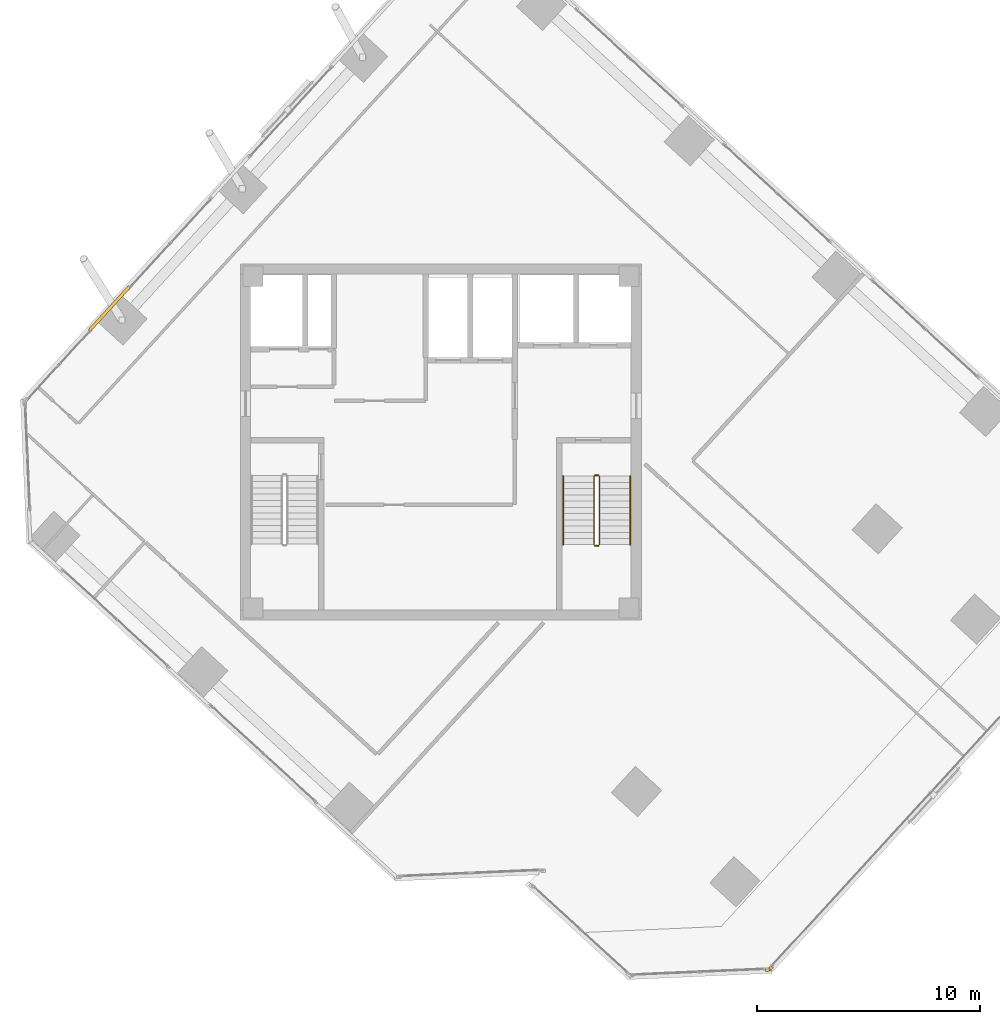
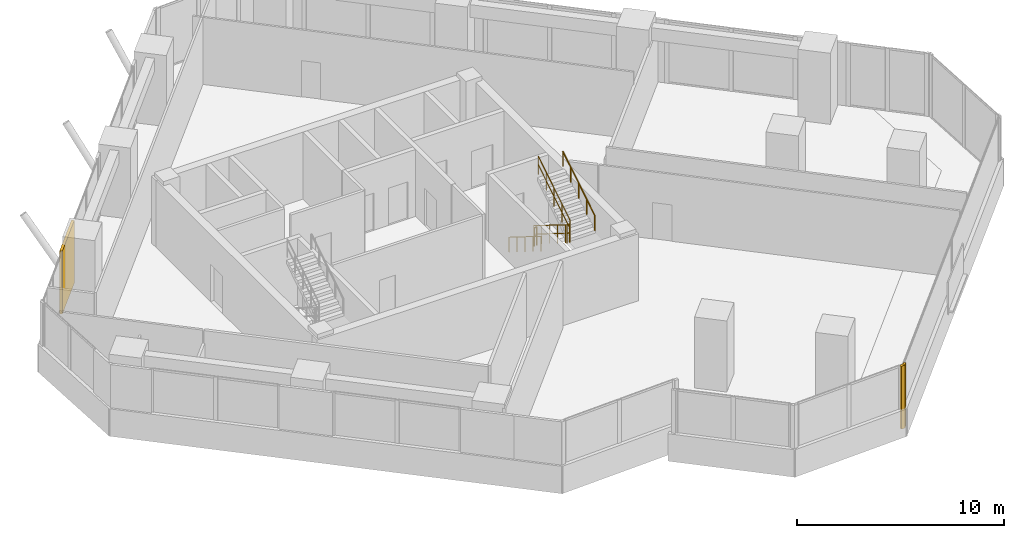
# One storey, part 16 of 18: 6 railings, 3 coverings.
"""IFC4 building model written with IfcOpenShell, lengths in metres."""

from ifc_helpers import new_model, si_unit, direction, frame, origin, origin_2d, place, context, subcontext, project, spatial, rectangle, circle, extrude, source, transform, mapped, material, layer, layer_set, type_object, element, save


model = new_model("IFC4")

# Units and contexts
model_context = context("Model", 3, precision=1e-05, world=origin(), true_north=direction((0.0, 1.0)))
body_context = subcontext(model_context, "Body", "Model", "MODEL_VIEW")
ifc_project = project(units=[si_unit("LENGTHUNIT", "METRE"), si_unit("AREAUNIT", "SQUARE_METRE"), si_unit("VOLUMEUNIT", "CUBIC_METRE"), si_unit("PLANEANGLEUNIT", "RADIAN"), si_unit("MASSUNIT", "GRAM", prefix="KILO")], contexts=[model_context])

# Site, building, storey
site_placement = place(None, origin())
site = spatial("IfcSite", under=ifc_project, at=site_placement, CompositionType="ELEMENT")
building_placement = place(site_placement, origin())
building = spatial("IfcBuilding", under=site, at=building_placement, Name="Torre Montelarca", CompositionType="ELEMENT")
storey_placement = place(building_placement, frame((0.0, 0.0, 237.39990234375)))
storey = spatial("IfcBuildingStorey", under=building, at=storey_placement, Name="L53", CompositionType="ELEMENT", Elevation=237.39990234375)

# Railings
ifc_material_1 = material(Name="Powder-coated steel ASTM A500 Grade C", Category="steel")
railing_type_1 = type_object("IfcRailingType", Name="RL-GUARD-1100", PredefinedType="BALUSTRADE", material=ifc_material_1)
railing_1_placement = place(storey_placement, frame((24.8701171875, 30.469970703125, 0.175048828125)))
element("IfcRailing", 1, at=railing_1_placement, inside=storey, type_object=railing_type_1, Name="L53 ST2 stair guard 1", PredefinedType="BALUSTRADE", context=body_context, shape_type="SweptSolid", body=[
    extrude(circle(Radius=0.02392578125, at=origin_2d()), frame((0.0, 0.0, 1.076171875), z_axis=(0.0, -0.847998304005, 0.529998940003), x_axis=(1.0, 0.0, 0.0)), (0.0, 0.0, 1.0), 3.632080078125),
    extrude(circle(Radius=0.02099609375, at=origin_2d()), frame((0.0, 0.0, 0.572021484375), z_axis=(0.0, -0.847998304005, 0.529998940003), x_axis=(1.0, 0.0, 0.0)), (0.0, 0.0, 1.0), 3.632080078125),
    extrude(circle(Radius=0.02099609375, at=origin_2d()), origin(), (0.0, 0.0, 1.0), 1.052001953125),
    extrude(circle(Radius=0.02099609375, at=origin_2d()), frame((0.0, -0.77001953125, 0.481201171875)), (0.0, 0.0, 1.0), 1.052001953125),
    extrude(circle(Radius=0.02099609375, at=origin_2d()), frame((0.0, -1.5400390625, 0.96240234375)), (0.0, 0.0, 1.0), 1.052001953125),
    extrude(circle(Radius=0.02099609375, at=origin_2d()), frame((0.0, -2.31005859375, 1.44384765625)), (0.0, 0.0, 1.0), 1.052001953125),
    extrude(circle(Radius=0.02099609375, at=origin_2d()), frame((0.0, -3.080078125, 1.925048828125)), (0.0, 0.0, 1.0), 1.052001953125),
])
railing_2_placement = place(storey_placement, frame((24.919921875, 27.340087890625, 2.10009765625)))
element("IfcRailing", 2, at=railing_2_placement, inside=storey, type_object=railing_type_1, Name="L53 ST2 stair guard 2", PredefinedType="BALUSTRADE", context=body_context, shape_type="SweptSolid", body=[
    extrude(circle(Radius=0.02392578125, at=origin_2d()), frame((0.0, 0.0, 1.076171875), z_axis=(1.0, 0.0, 0.0), x_axis=(0.0, 1.0, 0.0)), (0.0, 0.0, 1.0), 0.150146484375),
    extrude(circle(Radius=0.02099609375, at=origin_2d()), frame((0.0, 0.0, 0.572021484375), z_axis=(1.0, 0.0, 0.0), x_axis=(0.0, 1.0, 0.0)), (0.0, 0.0, 1.0), 0.150146484375),
    extrude(circle(Radius=0.02099609375, at=origin_2d()), origin(), (0.0, 0.0, 1.0), 1.052001953125),
    extrude(circle(Radius=0.02099609375, at=origin_2d()), frame((0.150146484375, 0.0, 0.0)), (0.0, 0.0, 1.0), 1.052001953125),
])
railing_3_placement = place(storey_placement, frame((25.1201171875, 27.389892578125, 2.275146484375)))
element("IfcRailing", 3, at=railing_3_placement, inside=storey, type_object=railing_type_1, Name="L53 ST2 stair guard 3", PredefinedType="BALUSTRADE", context=body_context, shape_type="SweptSolid", body=[
    extrude(circle(Radius=0.02392578125, at=origin_2d()), frame((0.0, 0.0, 1.076171875), z_axis=(0.0, 0.847998304005, 0.529998940003), x_axis=(-1.0, 0.0, 0.0)), (0.0, 0.0, 1.0), 3.632080078125),
    extrude(circle(Radius=0.02099609375, at=origin_2d()), frame((0.0, 0.0, 0.572021484375), z_axis=(0.0, 0.847998304005, 0.529998940003), x_axis=(-1.0, 0.0, 0.0)), (0.0, 0.0, 1.0), 3.632080078125),
    extrude(circle(Radius=0.02099609375, at=origin_2d()), origin(), (0.0, 0.0, 1.0), 1.052001953125),
    extrude(circle(Radius=0.02099609375, at=origin_2d()), frame((0.0, 0.77001953125, 0.481201171875)), (0.0, 0.0, 1.0), 1.052001953125),
    extrude(circle(Radius=0.02099609375, at=origin_2d()), frame((0.0, 1.5400390625, 0.96240234375)), (0.0, 0.0, 1.0), 1.052001953125),
    extrude(circle(Radius=0.02099609375, at=origin_2d()), frame((0.0, 2.31005859375, 1.44384765625)), (0.0, 0.0, 1.0), 1.052001953125),
    extrude(circle(Radius=0.02099609375, at=origin_2d()), frame((0.0, 3.080078125, 1.925048828125)), (0.0, 0.0, 1.0), 1.052001953125),
])
railing_4_placement = place(storey_placement, frame((24.919921875, 30.52001953125, 0.0)))
element("IfcRailing", 4, at=railing_4_placement, inside=storey, type_object=railing_type_1, Name="L53 ST2 stair guard 4", PredefinedType="BALUSTRADE", context=body_context, shape_type="SweptSolid", body=[
    extrude(circle(Radius=0.02392578125, at=origin_2d()), frame((0.0, 0.0, 1.076171875), z_axis=(1.0, 0.0, 0.0), x_axis=(0.0, 1.0, 0.0)), (0.0, 0.0, 1.0), 0.150146484375),
    extrude(circle(Radius=0.02099609375, at=origin_2d()), frame((0.0, 0.0, 0.572021484375), z_axis=(1.0, 0.0, 0.0), x_axis=(0.0, 1.0, 0.0)), (0.0, 0.0, 1.0), 0.150146484375),
    extrude(circle(Radius=0.02099609375, at=origin_2d()), origin(), (0.0, 0.0, 1.0), 1.052001953125),
    extrude(circle(Radius=0.02099609375, at=origin_2d()), frame((0.150146484375, 0.0, 0.0)), (0.0, 0.0, 1.0), 1.052001953125),
])
ifc_material_2 = material(Name="Brushed stainless steel AISI 316", Category="steel")
railing_type_2 = type_object("IfcRailingType", Name="RL-HANDRAIL-900", PredefinedType="HANDRAIL", material=ifc_material_2)
railing_5_placement = place(storey_placement, frame((23.489990234375, 30.469970703125, 0.175048828125)))
element("IfcRailing", 5, at=railing_5_placement, inside=storey, type_object=railing_type_2, Name="L53 ST2 stair handrail 1", PredefinedType="HANDRAIL", context=body_context, shape_type="SweptSolid", body=[
    extrude(circle(Radius=0.02392578125, at=origin_2d()), frame((0.0, 0.0, 0.8759765625), z_axis=(0.0, -0.847998304005, 0.529998940003), x_axis=(1.0, 0.0, 0.0)), (0.0, 0.0, 1.0), 3.632080078125),
    extrude(circle(Radius=0.02099609375, at=origin_2d()), origin(), (0.0, 0.0, 1.0), 0.851806640625),
    extrude(circle(Radius=0.02099609375, at=origin_2d()), frame((0.0, -0.77001953125, 0.481201171875)), (0.0, 0.0, 1.0), 0.851806640625),
    extrude(circle(Radius=0.02099609375, at=origin_2d()), frame((0.0, -1.5400390625, 0.96240234375)), (0.0, 0.0, 1.0), 0.851806640625),
    extrude(circle(Radius=0.02099609375, at=origin_2d()), frame((0.0, -2.31005859375, 1.44384765625)), (0.0, 0.0, 1.0), 0.851806640625),
    extrude(circle(Radius=0.02099609375, at=origin_2d()), frame((0.0, -3.080078125, 1.925048828125)), (0.0, 0.0, 1.0), 0.851806640625),
])
railing_6_placement = place(storey_placement, frame((26.5, 27.389892578125, 2.275146484375)))
element("IfcRailing", 6, at=railing_6_placement, inside=storey, type_object=railing_type_2, Name="L53 ST2 stair handrail 2", PredefinedType="HANDRAIL", context=body_context, shape_type="SweptSolid", body=[
    extrude(circle(Radius=0.02392578125, at=origin_2d()), frame((0.0, 0.0, 0.8759765625), z_axis=(0.0, 0.847998304005, 0.529998940003), x_axis=(-1.0, 0.0, 0.0)), (0.0, 0.0, 1.0), 3.632080078125),
    extrude(circle(Radius=0.02099609375, at=origin_2d()), origin(), (0.0, 0.0, 1.0), 0.851806640625),
    extrude(circle(Radius=0.02099609375, at=origin_2d()), frame((0.0, 0.77001953125, 0.481201171875)), (0.0, 0.0, 1.0), 0.851806640625),
    extrude(circle(Radius=0.02099609375, at=origin_2d()), frame((0.0, 1.5400390625, 0.96240234375)), (0.0, 0.0, 1.0), 0.851806640625),
    extrude(circle(Radius=0.02099609375, at=origin_2d()), frame((0.0, 2.31005859375, 1.44384765625)), (0.0, 0.0, 1.0), 0.851806640625),
    extrude(circle(Radius=0.02099609375, at=origin_2d()), frame((0.0, 3.080078125, 1.925048828125)), (0.0, 0.0, 1.0), 0.851806640625),
])

# Coverings
ifc_material_3 = material(Name="Bush-hammered warm white precast concrete C45/55", Category="concrete")
ifc_layer = layer(ifc_material_3, 0.139892578125, Name="Bush-hammered warm white precast concrete C45/55", Category="concrete")
ifc_layer_set = layer_set([ifc_layer], Name="Bush-hammered warm white precast concrete C45/55")
covering_type = type_object("IfcCoveringType", Name="COV-TRAY-CLAD", PredefinedType="CLADDING", material=ifc_layer_set)
shared_shape_1 = source(origin(), body_context, "Body", "SweptSolid", [
    extrude(rectangle(XDim=0.199951171875, YDim=0.139892578125, at=origin_2d()), origin(), (0.0, 0.0, 1.0), 3.719970703125),
])
for number, where, z_axis, x_axis, name in (
    (7, (32.681396484375, 8.301513671875, 0.0), (0.0, 0.0, 1.0), (0.999047840893, 0.043628105704, 0.0), "L53 Architectural Column Pier Cladding E05-2"),
    (8, (32.81298828125, 8.36279296875, 0.0), (0.0, 0.0, 1.0), (0.675592781195, 0.737274978551, 0.0), "L53 Architectural Column Pier Cladding E06-1"),
):
    element("IfcCovering", number, at=place(storey_placement, frame(where, z_axis=z_axis, x_axis=x_axis)), inside=storey, type_object=covering_type, Name=name, PredefinedType="CLADDING", context=body_context, shape_type="MappedRepresentation", body=[
        mapped(shared_shape_1, transform((0.0, 0.0, 0.0), scale=1.0)),
    ])
shared_shape_2 = source(origin(), body_context, "Body", "SweptSolid", [
    extrude(rectangle(XDim=2.659912109375, YDim=0.139892578125, at=origin_2d()), origin(), (0.0, 0.0, 1.0), 3.719970703125),
])
covering_placement = place(storey_placement, frame((3.11181640625, 37.9990234375, 0.0), z_axis=(0.0, 0.0, 1.0), x_axis=(-0.675588920823, -0.737278515936, 0.0)))
element("IfcCovering", 9, at=covering_placement, inside=storey, type_object=covering_type, Name="L53 Architectural Column Pier Cladding E10-4", PredefinedType="CLADDING", context=body_context, shape_type="MappedRepresentation", body=[
    mapped(shared_shape_2, transform((0.0, 0.0, 0.0), scale=1.0)),
])

save(model, "model.ifc")
